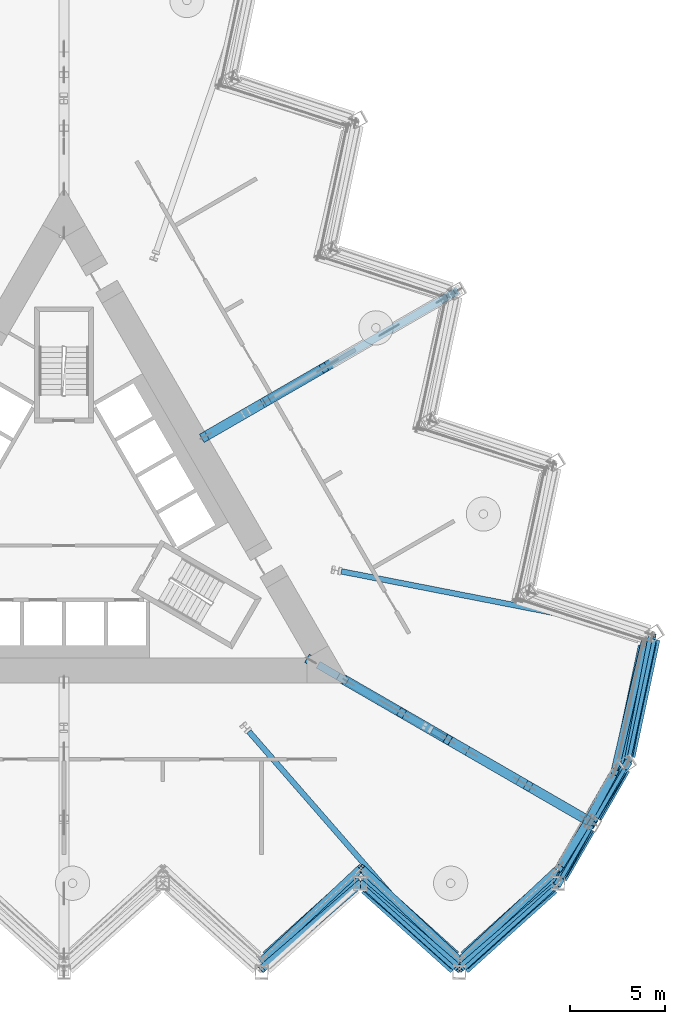
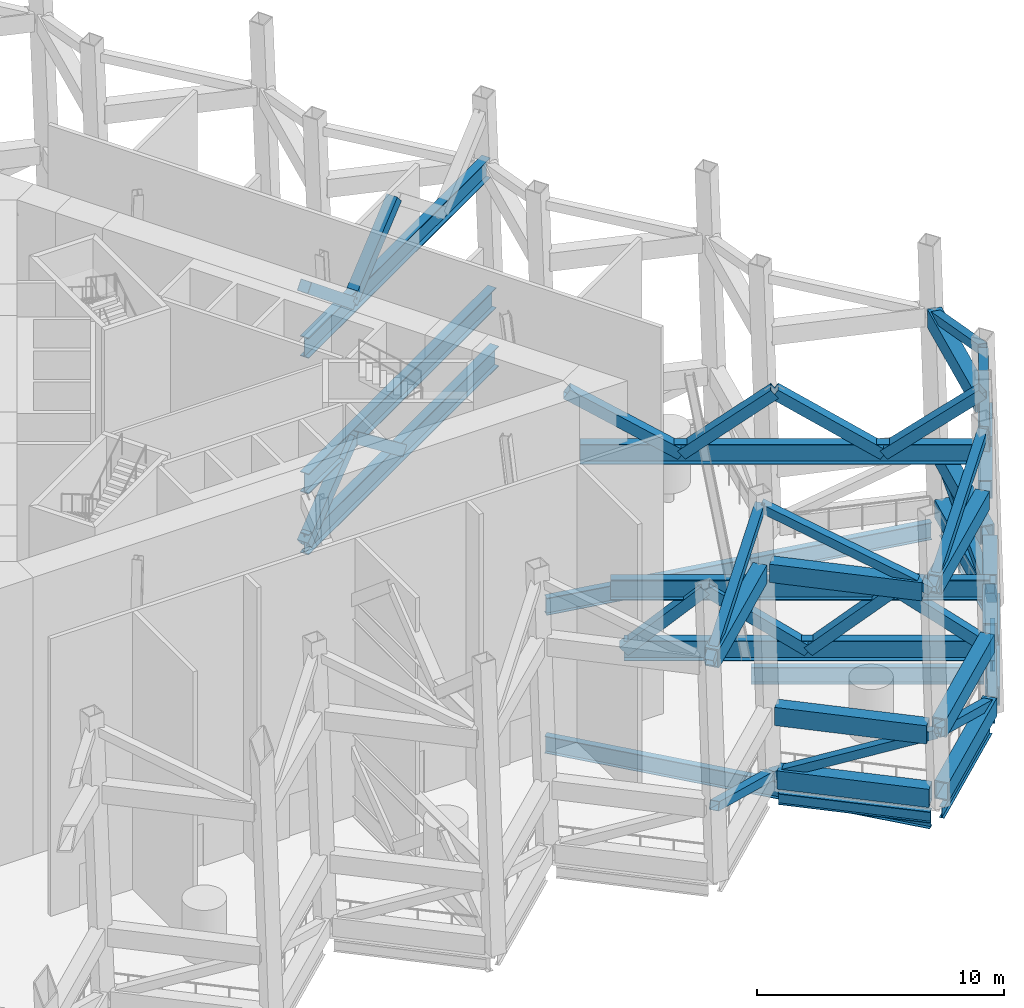
# One storey, part 4 of 19: 46 members, 8 beams.
"""IFC4 building model written with IfcOpenShell, lengths in metres."""

from ifc_helpers import new_model, si_unit, direction, frame, origin, origin_2d, place, context, subcontext, project, spatial, hollow_rectangle, i_section, extrude, material, material_profile, profile_set, type_object, element, save


model = new_model("IFC4")

# Units and contexts
model_context = context("Model", 3, precision=1e-05, world=origin(), true_north=direction((0.0, 1.0)))
body_context = subcontext(model_context, "Body", "Model", "MODEL_VIEW")
ifc_project = project(units=[si_unit("LENGTHUNIT", "METRE"), si_unit("AREAUNIT", "SQUARE_METRE"), si_unit("VOLUMEUNIT", "CUBIC_METRE"), si_unit("PLANEANGLEUNIT", "RADIAN"), si_unit("MASSUNIT", "GRAM", prefix="KILO")], contexts=[model_context])

# Site, building, storey
site_placement = place(None, origin())
site = spatial("IfcSite", under=ifc_project, at=site_placement, CompositionType="ELEMENT")
building_placement = place(site_placement, origin())
building = spatial("IfcBuilding", under=site, at=building_placement, Name="Cormorant Prow Tower", CompositionType="ELEMENT")
storey_placement = place(building_placement, frame((0.0, 0.0, 287.800048828125)))
storey = spatial("IfcBuildingStorey", under=building, at=storey_placement, Name="L64", CompositionType="ELEMENT", Elevation=287.800048828125)

# Members
ifc_material_1 = material(Name="Structural steel ASTM A572 Gr 50", Category="steel")
ifc_material_profile_1 = material_profile(ifc_material_1, hollow_rectangle(XDim=0.60009765625, YDim=0.89990234375, WallThickness=0.06005859375, at=origin_2d()), Name="Box 900x600x60")
ifc_profile_set_1 = profile_set([ifc_material_profile_1], Name="Structural steel ASTM A572 Gr 50")
member_type_1 = type_object("IfcMemberType", Name="Belt truss bottom chord 900x600x60", PredefinedType="CHORD", material=ifc_profile_set_1)
member_1_placement = place(storey_placement, frame((10.65234375, -23.00927734375, 10.25), z_axis=(0.743153289004, 0.669121206541, 0.0), x_axis=(-0.669121206541, 0.743153289004, 0.0)))
element("IfcMember", 1, at=member_1_placement, inside=storey, type_object=member_type_1, Name="Belt truss intermediate chord S07-S08 L64 level 2", PredefinedType="CHORD", context=body_context, shape_type="SweptSolid", body=[
    extrude(hollow_rectangle(XDim=0.60009765625, YDim=0.89990234375, WallThickness=0.06005859375, at=origin_2d()), origin(), (0.0, 0.0, 1.0), 6.292236328125),
])
member_2_placement = place(storey_placement, frame((15.82470703125, -19.44970703125, 0.449951171875), z_axis=(0.743156918576, -0.669117175368, 0.0), x_axis=(0.669117175368, 0.743156918576, 0.0)))
element("IfcMember", 2, at=member_2_placement, inside=storey, type_object=member_type_1, Name="Belt truss bottom chord S08-S09 L64", PredefinedType="CHORD", context=body_context, shape_type="SweptSolid", body=[
    extrude(hollow_rectangle(XDim=0.60009765625, YDim=0.89990234375, WallThickness=0.06005859375, at=origin_2d()), origin(), (0.0, 0.0, 1.0), 6.281494140625),
])
member_3_placement = place(storey_placement, frame((15.832763671875, -19.230712890625, 3.449951171875), z_axis=(0.743156990302, -0.669117095706, 0.0), x_axis=(0.669117095706, 0.743156990302, 0.0)))
element("IfcMember", 3, at=member_3_placement, inside=storey, type_object=member_type_1, Name="Belt truss intermediate chord S08-S09 L64 level 1", PredefinedType="CHORD", context=body_context, shape_type="SweptSolid", body=[
    extrude(hollow_rectangle(XDim=0.60009765625, YDim=0.89990234375, WallThickness=0.06005859375, at=origin_2d()), origin(), (0.0, 0.0, 1.0), 6.284912109375),
])
member_4_placement = place(storey_placement, frame((15.8486328125, -18.799072265625, 10.25), z_axis=(0.743153289004, -0.669121206541, 0.0), x_axis=(0.669121206541, 0.743153289004, 0.0)))
element("IfcMember", 4, at=member_4_placement, inside=storey, type_object=member_type_1, Name="Belt truss intermediate chord S08-S09 L64 level 2", PredefinedType="CHORD", context=body_context, shape_type="SweptSolid", body=[
    extrude(hollow_rectangle(XDim=0.60009765625, YDim=0.89990234375, WallThickness=0.06005859375, at=origin_2d()), origin(), (0.0, 0.0, 1.0), 6.292236328125),
])
member_5_placement = place(storey_placement, frame((21.012939453125, -23.65283203125, 0.449951171875), z_axis=(0.743156918576, 0.669117175368, 0.0), x_axis=(-0.669117175368, 0.743156918576, 0.0)))
element("IfcMember", 5, at=member_5_placement, inside=storey, type_object=member_type_1, Name="Belt truss bottom chord S09-ESE00 L64", PredefinedType="CHORD", context=body_context, shape_type="SweptSolid", body=[
    extrude(hollow_rectangle(XDim=0.60009765625, YDim=0.89990234375, WallThickness=0.06005859375, at=origin_2d()), origin(), (0.0, 0.0, 1.0), 6.281494140625),
])
member_6_placement = place(storey_placement, frame((21.023681640625, -23.43603515625, 3.449951171875), z_axis=(0.743156990302, 0.669117095706, 0.0), x_axis=(-0.669117095706, 0.743156990302, 0.0)))
element("IfcMember", 6, at=member_6_placement, inside=storey, type_object=member_type_1, Name="Belt truss intermediate chord S09-ESE00 L64 level 1", PredefinedType="CHORD", context=body_context, shape_type="SweptSolid", body=[
    extrude(hollow_rectangle(XDim=0.60009765625, YDim=0.89990234375, WallThickness=0.06005859375, at=origin_2d()), origin(), (0.0, 0.0, 1.0), 6.284912109375),
])
member_7_placement = place(storey_placement, frame((21.044677734375, -23.00927734375, 10.25), z_axis=(0.743153289004, 0.669121206541, 0.0), x_axis=(-0.669121206541, 0.743153289004, 0.0)))
element("IfcMember", 7, at=member_7_placement, inside=storey, type_object=member_type_1, Name="Belt truss intermediate chord S09-ESE00 L64 level 2", PredefinedType="CHORD", context=body_context, shape_type="SweptSolid", body=[
    extrude(hollow_rectangle(XDim=0.60009765625, YDim=0.89990234375, WallThickness=0.06005859375, at=origin_2d()), origin(), (0.0, 0.0, 1.0), 6.292236328125),
])
member_8_placement = place(storey_placement, frame((26.1162109375, -18.912353515625, 0.449951171875), z_axis=(0.499966725515, 0.866044613965, 0.0), x_axis=(-0.866044613965, 0.499966725515, 0.0)))
element("IfcMember", 8, at=member_8_placement, inside=storey, type_object=member_type_1, Name="Belt truss bottom chord ESE00-ESE01 L64", PredefinedType="CHORD", context=body_context, shape_type="SweptSolid", body=[
    extrude(hollow_rectangle(XDim=0.60009765625, YDim=0.89990234375, WallThickness=0.06005859375, at=origin_2d()), origin(), (0.0, 0.0, 1.0), 2.970458984375),
])
member_9_placement = place(storey_placement, frame((26.129638671875, -18.693359375, 3.449951171875), z_axis=(0.499953532967, 0.866052229876, 0.0), x_axis=(-0.866052229876, 0.499953532967, 0.0)))
element("IfcMember", 9, at=member_9_placement, inside=storey, type_object=member_type_1, Name="Belt truss intermediate chord ESE00-ESE01 L64 level 1", PredefinedType="CHORD", context=body_context, shape_type="SweptSolid", body=[
    extrude(hollow_rectangle(XDim=0.60009765625, YDim=0.89990234375, WallThickness=0.06005859375, at=origin_2d()), origin(), (0.0, 0.0, 1.0), 2.774169921875),
])
member_10_placement = place(storey_placement, frame((26.15576171875, -18.26171875, 10.25), z_axis=(0.499999840497, 0.866025495874, 0.0), x_axis=(-0.866025495874, 0.499999840497, 0.0)))
element("IfcMember", 10, at=member_10_placement, inside=storey, type_object=member_type_1, Name="Belt truss intermediate chord ESE00-ESE01 L64 level 2", PredefinedType="CHORD", context=body_context, shape_type="SweptSolid", body=[
    extrude(hollow_rectangle(XDim=0.60009765625, YDim=0.89990234375, WallThickness=0.06005859375, at=origin_2d()), origin(), (0.0, 0.0, 1.0), 2.38720703125),
])
member_11_placement = place(storey_placement, frame((27.951416015625, -15.733642578125, 0.449951171875), z_axis=(0.499966725515, 0.866044613965, 0.0), x_axis=(-0.866044613965, 0.499966725515, 0.0)))
element("IfcMember", 11, at=member_11_placement, inside=storey, type_object=member_type_1, Name="Belt truss bottom chord ESE01-ENE00 L64", PredefinedType="CHORD", context=body_context, shape_type="SweptSolid", body=[
    extrude(hollow_rectangle(XDim=0.60009765625, YDim=0.89990234375, WallThickness=0.06005859375, at=origin_2d()), origin(), (0.0, 0.0, 1.0), 2.970458984375),
])
member_12_placement = place(storey_placement, frame((27.86669921875, -15.6845703125, 3.449951171875), z_axis=(0.49999164009, 0.866030230327, 0.0), x_axis=(-0.866030230327, 0.49999164009, 0.0)))
element("IfcMember", 12, at=member_12_placement, inside=storey, type_object=member_type_1, Name="Belt truss intermediate chord ESE01-ENE00 L64 level 1", PredefinedType="CHORD", context=body_context, shape_type="SweptSolid", body=[
    extrude(hollow_rectangle(XDim=0.60009765625, YDim=0.89990234375, WallThickness=0.06005859375, at=origin_2d()), origin(), (0.0, 0.0, 1.0), 2.77392578125),
])
member_13_placement = place(storey_placement, frame((27.699462890625, -15.588134765625, 10.25), z_axis=(0.499999840497, 0.866025495874, 0.0), x_axis=(-0.866025495874, 0.499999840497, 0.0)))
element("IfcMember", 13, at=member_13_placement, inside=storey, type_object=member_type_1, Name="Belt truss intermediate chord ESE01-ENE00 L64 level 2", PredefinedType="CHORD", context=body_context, shape_type="SweptSolid", body=[
    extrude(hollow_rectangle(XDim=0.60009765625, YDim=0.89990234375, WallThickness=0.06005859375, at=origin_2d()), origin(), (0.0, 0.0, 1.0), 2.38720703125),
])
member_14_placement = place(storey_placement, frame((29.684326171875, -12.515625, 0.449951171875), z_axis=(0.207941499013, 0.978141264331, 0.0), x_axis=(-0.978141264331, 0.207941499013, 0.0)))
element("IfcMember", 14, at=member_14_placement, inside=storey, type_object=member_type_1, Name="Belt truss bottom chord ENE00-ENE01 L64", PredefinedType="CHORD", context=body_context, shape_type="SweptSolid", body=[
    extrude(hollow_rectangle(XDim=0.60009765625, YDim=0.89990234375, WallThickness=0.06005859375, at=origin_2d()), origin(), (0.0, 0.0, 1.0), 6.28125),
])
member_15_placement = place(storey_placement, frame((29.50146484375, -12.63671875, 3.449951171875), z_axis=(0.207897315893, 0.978150656108, 0.0), x_axis=(-0.978150656108, 0.207897315893, 0.0)))
element("IfcMember", 15, at=member_15_placement, inside=storey, type_object=member_type_1, Name="Belt truss intermediate chord ENE00-ENE01 L64 level 1", PredefinedType="CHORD", context=body_context, shape_type="SweptSolid", body=[
    extrude(hollow_rectangle(XDim=0.60009765625, YDim=0.89990234375, WallThickness=0.06005859375, at=origin_2d()), origin(), (0.0, 0.0, 1.0), 6.284912109375),
])
member_16_placement = place(storey_placement, frame((29.140869140625, -12.875244140625, 10.25), z_axis=(0.207899129292, 0.978150270684, 0.0), x_axis=(-0.978150270684, 0.207899129292, 0.0)))
element("IfcMember", 16, at=member_16_placement, inside=storey, type_object=member_type_1, Name="Belt truss intermediate chord ENE00-ENE01 L64 level 2", PredefinedType="CHORD", context=body_context, shape_type="SweptSolid", body=[
    extrude(hollow_rectangle(XDim=0.60009765625, YDim=0.89990234375, WallThickness=0.06005859375, at=origin_2d()), origin(), (0.0, 0.0, 1.0), 6.2919921875),
])
ifc_material_2 = material(Name="Structural steel ASTM A500 Gr C", Category="steel")
ifc_material_profile_2 = material_profile(ifc_material_2, hollow_rectangle(XDim=0.406494140625, YDim=0.406494140625, WallThickness=0.014892578125, at=origin_2d()), Name="HSS16x16x5/8")
ifc_profile_set_2 = profile_set([ifc_material_profile_2], Name="Structural steel ASTM A500 Gr C")
member_type_2 = type_object("IfcMemberType", Name="Belt truss diagonal HSS16x16x5/8", PredefinedType="BRACE", material=ifc_profile_set_2)
member_17_placement = place(storey_placement, frame((15.565673828125, -19.186767578125, 0.449951171875), z_axis=(-0.692872753917, -0.59928451588, 0.40098056799), x_axis=(0.654178919895, -0.756339831534, 0.0)))
element("IfcMember", 17, at=member_17_placement, inside=storey, type_object=member_type_2, Name="Belt truss diagonal S07-S08 L64 lower girder band", PredefinedType="BRACE", context=body_context, shape_type="SweptSolid", body=[
    extrude(hollow_rectangle(XDim=0.406494140625, YDim=0.406494140625, WallThickness=0.014892578125, at=origin_2d()), origin(), (0.0, 0.0, 1.0), 7.481689453125),
])
member_18_placement = place(storey_placement, frame((20.78466796875, -23.243408203125, 10.25), z_axis=(-0.671976421664, 0.63049756656, 0.388484886822), x_axis=(-0.684241228634, -0.729255744603, 0.0)))
element("IfcMember", 18, at=member_18_placement, inside=storey, type_object=member_type_2, Name="Belt truss diagonal S08-S09 L64 upper girder band", PredefinedType="BRACE", context=body_context, shape_type="SweptSolid", body=[
    extrude(hollow_rectangle(XDim=0.406494140625, YDim=0.406494140625, WallThickness=0.014892578125, at=origin_2d()), origin(), (0.0, 0.0, 1.0), 7.722412109375),
])
member_19_placement = place(storey_placement, frame((25.94287109375, -19.186767578125, 0.449951171875), z_axis=(-0.69255018816, -0.599542010255, 0.401152857175), x_axis=(0.654513894474, -0.756049973176, 0.0)))
element("IfcMember", 19, at=member_19_placement, inside=storey, type_object=member_type_2, Name="Belt truss diagonal S09-ESE00 L64 lower girder band", PredefinedType="BRACE", context=body_context, shape_type="SweptSolid", body=[
    extrude(hollow_rectangle(XDim=0.406494140625, YDim=0.406494140625, WallThickness=0.014892578125, at=origin_2d()), origin(), (0.0, 0.0, 1.0), 7.478515625),
])
member_20_placement = place(storey_placement, frame((27.5244140625, -15.891357421875, 10.25), z_axis=(-0.366077631874, -0.593366628493, 0.716870428761), x_axis=(0.851063062162, -0.525063485898, 0.0)))
element("IfcMember", 20, at=member_20_placement, inside=storey, type_object=member_type_2, Name="Belt truss diagonal ESE00-ESE01 L64 upper girder band", PredefinedType="BRACE", context=body_context, shape_type="SweptSolid", body=[
    extrude(hollow_rectangle(XDim=0.406494140625, YDim=0.406494140625, WallThickness=0.014892578125, at=origin_2d()), origin(), (0.0, 0.0, 1.0), 4.184814453125),
])
member_21_placement = place(storey_placement, frame((29.587646484375, -12.873779296875, 0.449951171875), z_axis=(-0.401572595141, -0.659549118081, 0.635400984946), x_axis=(0.854136480053, -0.520048914472, 0.0)))
element("IfcMember", 21, at=member_21_placement, inside=storey, type_object=member_type_2, Name="Belt truss diagonal ESE01-ENE00 L64 lower girder band", PredefinedType="BRACE", context=body_context, shape_type="SweptSolid", body=[
    extrude(hollow_rectangle(XDim=0.406494140625, YDim=0.406494140625, WallThickness=0.014892578125, at=origin_2d()), origin(), (0.0, 0.0, 1.0), 4.721435546875),
])
member_22_placement = place(storey_placement, frame((30.521728515625, -6.37841796875, 10.25), z_axis=(-0.208509243782, -0.897827041988, 0.387853706871), x_axis=(0.974076856997, -0.226217321755, 0.0)))
element("IfcMember", 22, at=member_22_placement, inside=storey, type_object=member_type_2, Name="Belt truss diagonal ENE00-ENE01 L64 upper girder band", PredefinedType="BRACE", context=body_context, shape_type="SweptSolid", body=[
    extrude(hollow_rectangle(XDim=0.406494140625, YDim=0.406494140625, WallThickness=0.014892578125, at=origin_2d()), origin(), (0.0, 0.0, 1.0), 7.73486328125),
])
ifc_material_3 = material(Name="Structural steel ASTM A500 Gr C", Category="steel")
ifc_material_profile_3 = material_profile(ifc_material_3, hollow_rectangle(XDim=0.406494140625, YDim=0.406494140625, WallThickness=0.014892578125, at=origin_2d()), Name="HSS16x16x5/8")
ifc_profile_set_3 = profile_set([ifc_material_profile_3], Name="Structural steel ASTM A500 Gr C")
member_type_3 = type_object("IfcMemberType", Name="Belt truss strut HSS16x16x5/8", PredefinedType="STRUT", material=ifc_profile_set_3)
member_23_placement = place(storey_placement, frame((10.392333984375, -23.243408203125, 10.25), z_axis=(0.672962960775, 0.629734437253, 0.388014680086), x_axis=(-0.683266159206, 0.730169402046, 0.0)))
element("IfcMember", 23, at=member_23_placement, inside=storey, type_object=member_type_3, Name="Belt truss strut S07-S08 L64 upper girder band", PredefinedType="STRUT", context=body_context, shape_type="SweptSolid", body=[
    extrude(hollow_rectangle(XDim=0.406494140625, YDim=0.406494140625, WallThickness=0.014892578125, at=origin_2d()), origin(), (0.0, 0.0, 1.0), 7.731689453125),
])
member_24_placement = place(storey_placement, frame((15.565673828125, -19.186767578125, 0.449951171875), z_axis=(0.69385486079, -0.598499108468, 0.40045505281), x_axis=(0.653157693578, 0.757221914183, 0.0)))
element("IfcMember", 24, at=member_24_placement, inside=storey, type_object=member_type_3, Name="Belt truss strut S08-S09 L64 lower girder band", PredefinedType="STRUT", context=body_context, shape_type="SweptSolid", body=[
    extrude(hollow_rectangle(XDim=0.406494140625, YDim=0.406494140625, WallThickness=0.014892578125, at=origin_2d()), origin(), (0.0, 0.0, 1.0), 7.491455078125),
])
member_25_placement = place(storey_placement, frame((20.78466796875, -23.243408203125, 10.25), z_axis=(0.673291011365, 0.629480223133, 0.38785804452), x_axis=(-0.682941482993, 0.730473086984, 0.0)))
element("IfcMember", 25, at=member_25_placement, inside=storey, type_object=member_type_3, Name="Belt truss strut S09-ESE00 L64 upper girder band", PredefinedType="STRUT", context=body_context, shape_type="SweptSolid", body=[
    extrude(hollow_rectangle(XDim=0.406494140625, YDim=0.406494140625, WallThickness=0.014892578125, at=origin_2d()), origin(), (0.0, 0.0, 1.0), 7.73486328125),
])
member_26_placement = place(storey_placement, frame((25.94287109375, -19.186767578125, 0.449951171875), z_axis=(0.370393813383, 0.677547136222, 0.635404045631), x_axis=(-0.877447331336, 0.47967299354, 0.0)))
element("IfcMember", 26, at=member_26_placement, inside=storey, type_object=member_type_3, Name="Belt truss strut ESE00-ESE01 L64 lower girder band", PredefinedType="STRUT", context=body_context, shape_type="SweptSolid", body=[
    extrude(hollow_rectangle(XDim=0.406494140625, YDim=0.406494140625, WallThickness=0.014892578125, at=origin_2d()), origin(), (0.0, 0.0, 1.0), 4.721435546875),
])
member_27_placement = place(storey_placement, frame((27.5244140625, -15.891357421875, 10.25), z_axis=(0.330837585436, 0.613720930839, 0.716863383855), x_axis=(-0.880248000425, 0.474513917339, 0.0)))
element("IfcMember", 27, at=member_27_placement, inside=storey, type_object=member_type_3, Name="Belt truss strut ESE01-ENE00 L64 upper girder band", PredefinedType="STRUT", context=body_context, shape_type="SweptSolid", body=[
    extrude(hollow_rectangle(XDim=0.406494140625, YDim=0.406494140625, WallThickness=0.014892578125, at=origin_2d()), origin(), (0.0, 0.0, 1.0), 4.184814453125),
])
member_28_placement = place(storey_placement, frame((29.587646484375, -12.873779296875, 0.449951171875), z_axis=(0.172927734984, 0.899537626914, 0.401158392956), x_axis=(-0.982018646854, 0.188783943253, 0.0)))
element("IfcMember", 28, at=member_28_placement, inside=storey, type_object=member_type_3, Name="Belt truss strut ENE00-ENE01 L64 lower girder band", PredefinedType="STRUT", context=body_context, shape_type="SweptSolid", body=[
    extrude(hollow_rectangle(XDim=0.406494140625, YDim=0.406494140625, WallThickness=0.014892578125, at=origin_2d()), origin(), (0.0, 0.0, 1.0), 7.478271484375),
])
ifc_material_4 = material(Name="Structural steel ASTM A992 Gr 50", Category="steel")
ifc_material_profile_4 = material_profile(ifc_material_4, i_section(OverallWidth=0.39990234375, OverallDepth=1.000244140625, WebThickness=0.01904296875, FlangeThickness=0.0361328125, at=origin_2d()), Name="W40x249")
ifc_profile_set_4 = profile_set([ifc_material_profile_4], Name="Structural steel ASTM A992 Gr 50")
member_type_4 = type_object("IfcMemberType", Name="Outrigger chord W40x249", PredefinedType="CHORD", material=ifc_profile_set_4)
member_29_placement = place(storey_placement, frame((14.8701171875, -8.585205078125, 0.5), z_axis=(0.866025720378, -0.499999451643, 0.0), x_axis=(0.499999451643, 0.866025720378, 0.0)))
element("IfcMember", 29, at=member_29_placement, inside=storey, type_object=member_type_4, Name="Outrigger bottom chord 5 L64", PredefinedType="CHORD", context=body_context, shape_type="SweptSolid", body=[
    extrude(i_section(OverallWidth=0.39990234375, OverallDepth=1.000244140625, WebThickness=0.01904296875, FlangeThickness=0.0361328125, at=origin_2d()), origin(), (0.0, 0.0, 1.0), 14.90283203125),
])
member_30_placement = place(storey_placement, frame((14.397705078125, -8.3125, 3.5), z_axis=(0.866025126742, -0.500000479851, 0.0), x_axis=(0.500000479851, 0.866025126742, 0.0)))
element("IfcMember", 30, at=member_30_placement, inside=storey, type_object=member_type_4, Name="Outrigger intermediate chord 5 L64 level 1", PredefinedType="CHORD", context=body_context, shape_type="SweptSolid", body=[
    extrude(i_section(OverallWidth=0.39990234375, OverallDepth=1.000244140625, WebThickness=0.01904296875, FlangeThickness=0.0361328125, at=origin_2d()), origin(), (0.0, 0.0, 1.0), 15.3544921875),
])
member_31_placement = place(storey_placement, frame((13.342529296875, -7.703369140625, 10.19970703125), z_axis=(0.866027318515, -0.499996683574, 0.0), x_axis=(0.499996683574, 0.866027318515, 0.0)))
element("IfcMember", 31, at=member_31_placement, inside=storey, type_object=member_type_4, Name="Outrigger intermediate chord 5 L64 level 2", PredefinedType="CHORD", context=body_context, shape_type="SweptSolid", body=[
    extrude(i_section(OverallWidth=0.39990234375, OverallDepth=1.000244140625, WebThickness=0.01904296875, FlangeThickness=0.0361328125, at=origin_2d()), origin(), (0.0, 0.0, 1.0), 16.36328125),
])
member_32_placement = place(storey_placement, frame((7.3701171875, 4.255126953125, 0.5), z_axis=(0.866029325535, 0.499993207268, 0.0), x_axis=(-0.499993207268, 0.866029325535, 0.0)))
element("IfcMember", 32, at=member_32_placement, inside=storey, type_object=member_type_4, Name="Outrigger bottom chord 6 L64", PredefinedType="CHORD", context=body_context, shape_type="SweptSolid", body=[
    extrude(i_section(OverallWidth=0.39990234375, OverallDepth=1.000244140625, WebThickness=0.01904296875, FlangeThickness=0.0361328125, at=origin_2d()), origin(), (0.0, 0.0, 1.0), 15.376708984375),
])
member_33_placement = place(storey_placement, frame((7.3701171875, 4.255126953125, 3.5), z_axis=(0.866025844829, 0.499999236088, 0.0), x_axis=(-0.499999236088, 0.866025844829, 0.0)))
element("IfcMember", 33, at=member_33_placement, inside=storey, type_object=member_type_4, Name="Outrigger intermediate chord 6 L64 level 1", PredefinedType="CHORD", context=body_context, shape_type="SweptSolid", body=[
    extrude(i_section(OverallWidth=0.39990234375, OverallDepth=1.000244140625, WebThickness=0.01904296875, FlangeThickness=0.0361328125, at=origin_2d()), origin(), (0.0, 0.0, 1.0), 15.1689453125),
])
member_34_placement = place(storey_placement, frame((7.3701171875, 4.255126953125, 10.19970703125), z_axis=(0.866024680886, 0.500001252094, 0.0), x_axis=(-0.500001252094, 0.866024680886, 0.0)))
element("IfcMember", 34, at=member_34_placement, inside=storey, type_object=member_type_4, Name="Outrigger intermediate chord 6 L64 level 2", PredefinedType="CHORD", context=body_context, shape_type="SweptSolid", body=[
    extrude(i_section(OverallWidth=0.39990234375, OverallDepth=1.000244140625, WebThickness=0.01904296875, FlangeThickness=0.0361328125, at=origin_2d()), origin(), (0.0, 0.0, 1.0), 14.70556640625),
])
ifc_material_5 = material(Name="Structural steel ASTM A500 Gr C", Category="steel")
ifc_material_profile_5 = material_profile(ifc_material_5, hollow_rectangle(XDim=0.508056640625, YDim=0.508056640625, WallThickness=0.014892578125, at=origin_2d()), Name="HSS20x20x5/8")
ifc_profile_set_5 = profile_set([ifc_material_profile_5], Name="Structural steel ASTM A500 Gr C")
member_type_5 = type_object("IfcMemberType", Name="Outrigger diagonal HSS20x20x5/8", PredefinedType="BRACE", material=ifc_profile_set_5)
member_35_placement = place(storey_placement, frame((14.8701171875, -8.585205078125, 0.5), z_axis=(0.64018960677, -0.369612080135, 0.673456886224), x_axis=(0.499998415573, 0.866026318552, 0.0)))
element("IfcMember", 35, at=member_35_placement, inside=storey, type_object=member_type_5, Name="Outrigger diagonal 5.1 L64 lower girder band", PredefinedType="BRACE", context=body_context, shape_type="SweptSolid", body=[
    extrude(hollow_rectangle(XDim=0.508056640625, YDim=0.508056640625, WallThickness=0.014892578125, at=origin_2d()), origin(), (0.0, 0.0, 1.0), 4.45458984375),
])
member_36_placement = place(storey_placement, frame((21.3232421875, -12.31103515625, 0.5), z_axis=(0.659046879338, -0.380497545413, 0.64875174664), x_axis=(0.499996700606, 0.866027308682, 0.0)))
element("IfcMember", 36, at=member_36_placement, inside=storey, type_object=member_type_5, Name="Outrigger diagonal 5.3 L64 lower girder band", PredefinedType="BRACE", context=body_context, shape_type="SweptSolid", body=[
    extrude(hollow_rectangle(XDim=0.508056640625, YDim=0.508056640625, WallThickness=0.014892578125, at=origin_2d()), origin(), (0.0, 0.0, 1.0), 4.624267578125),
])
member_37_placement = place(storey_placement, frame((12.8701171875, -7.4306640625, 13.19970703125), z_axis=(0.727086621472, -0.419779123852, -0.543259175766), x_axis=(0.499995950774, 0.866027741594, 0.0)))
element("IfcMember", 37, at=member_37_placement, inside=storey, type_object=member_type_5, Name="Outrigger diagonal 5.1 L64 upper girder band", PredefinedType="BRACE", context=body_context, shape_type="SweptSolid", body=[
    extrude(hollow_rectangle(XDim=0.508056640625, YDim=0.508056640625, WallThickness=0.014892578125, at=origin_2d()), origin(), (0.0, 0.0, 1.0), 5.522216796875),
])
member_38_placement = place(storey_placement, frame((20.151123046875, -11.63427734375, 13.19970703125), z_axis=(0.716068135304, -0.41343838071, -0.562418999464), x_axis=(0.50001473959, 0.866016893711, 0.0)))
element("IfcMember", 38, at=member_38_placement, inside=storey, type_object=member_type_5, Name="Outrigger diagonal 5.3 L64 upper girder band", PredefinedType="BRACE", context=body_context, shape_type="SweptSolid", body=[
    extrude(hollow_rectangle(XDim=0.508056640625, YDim=0.508056640625, WallThickness=0.014892578125, at=origin_2d()), origin(), (0.0, 0.0, 1.0), 5.333984375),
])
member_39_placement = place(storey_placement, frame((7.3701171875, 4.255126953125, 0.5), z_axis=(0.679188210515, 0.392153942244, 0.620418133423), x_axis=(-0.500023377642, 0.866011906276, 0.0)))
element("IfcMember", 39, at=member_39_placement, inside=storey, type_object=member_type_5, Name="Outrigger diagonal 6.1 L64 lower girder band", PredefinedType="BRACE", context=body_context, shape_type="SweptSolid", body=[
    extrude(hollow_rectangle(XDim=0.508056640625, YDim=0.508056640625, WallThickness=0.014892578125, at=origin_2d()), origin(), (0.0, 0.0, 1.0), 4.83544921875),
])
member_40_placement = place(storey_placement, frame((7.3701171875, 4.255126953125, 13.19970703125), z_axis=(0.670979945825, 0.387378882917, -0.632236912376), x_axis=(-0.49998880049, 0.866031869728, 0.0)))
element("IfcMember", 40, at=member_40_placement, inside=storey, type_object=member_type_5, Name="Outrigger diagonal 6.1 L64 upper girder band", PredefinedType="BRACE", context=body_context, shape_type="SweptSolid", body=[
    extrude(hollow_rectangle(XDim=0.508056640625, YDim=0.508056640625, WallThickness=0.014892578125, at=origin_2d()), origin(), (0.0, 0.0, 1.0), 4.7451171875),
])
ifc_material_6 = material(Name="Structural steel ASTM A500 Gr C", Category="steel")
ifc_material_profile_6 = material_profile(ifc_material_6, hollow_rectangle(XDim=0.508056640625, YDim=0.508056640625, WallThickness=0.014892578125, at=origin_2d()), Name="HSS20x20x5/8")
ifc_profile_set_6 = profile_set([ifc_material_profile_6], Name="Structural steel ASTM A500 Gr C")
member_type_6 = type_object("IfcMemberType", Name="Outrigger strut HSS20x20x5/8", PredefinedType="STRUT", material=ifc_profile_set_6)
member_41_placement = place(storey_placement, frame((17.721923828125, -10.231689453125, 3.5), z_axis=(0.702328059709, -0.405513394654, -0.585059128039), x_axis=(0.500022287689, 0.866012535599, 0.0)))
element("IfcMember", 41, at=member_41_placement, inside=storey, type_object=member_type_6, Name="Outrigger strut 5.2 L64 lower girder band", PredefinedType="STRUT", context=body_context, shape_type="SweptSolid", body=[
    extrude(hollow_rectangle(XDim=0.508056640625, YDim=0.508056640625, WallThickness=0.014892578125, at=origin_2d()), origin(), (0.0, 0.0, 1.0), 5.127685546875),
])
member_42_placement = place(storey_placement, frame((24.370849609375, -14.070556640625, 3.5), z_axis=(0.688539133973, -0.397505602257, -0.606550209926), x_axis=(0.499978631166, 0.866037740735, 0.0)))
element("IfcMember", 42, at=member_42_placement, inside=storey, type_object=member_type_6, Name="Outrigger strut 5.4 L64 lower girder band", PredefinedType="STRUT", context=body_context, shape_type="SweptSolid", body=[
    extrude(hollow_rectangle(XDim=0.508056640625, YDim=0.508056640625, WallThickness=0.014892578125, at=origin_2d()), origin(), (0.0, 0.0, 1.0), 4.946044921875),
])
member_43_placement = place(storey_placement, frame((16.88525390625, -9.748779296875, 10.19970703125), z_axis=(0.677732451553, -0.391278143331, 0.622559345495), x_axis=(0.499989582389, 0.866031418311, 0.0)))
element("IfcMember", 43, at=member_43_placement, inside=storey, type_object=member_type_6, Name="Outrigger strut 5.2 L64 upper girder band", PredefinedType="STRUT", context=body_context, shape_type="SweptSolid", body=[
    extrude(hollow_rectangle(XDim=0.508056640625, YDim=0.508056640625, WallThickness=0.014892578125, at=origin_2d()), origin(), (0.0, 0.0, 1.0), 4.81884765625),
])
member_44_placement = place(storey_placement, frame((23.970703125, -13.839599609375, 10.19970703125), z_axis=(0.692648498545, -0.399888610557, 0.600272568596), x_axis=(0.499988572162, 0.866032001549, 0.0)))
element("IfcMember", 44, at=member_44_placement, inside=storey, type_object=member_type_6, Name="Outrigger strut 5.4 L64 upper girder band", PredefinedType="STRUT", context=body_context, shape_type="SweptSolid", body=[
    extrude(hollow_rectangle(XDim=0.508056640625, YDim=0.508056640625, WallThickness=0.014892578125, at=origin_2d()), origin(), (0.0, 0.0, 1.0), 4.997802734375),
])
member_45_placement = place(storey_placement, frame((10.654296875, 6.1513671875, 3.5), z_axis=(0.686169401178, 0.396161045731, -0.610104891583), x_axis=(-0.500000906121, 0.866024880635, 0.0)))
element("IfcMember", 45, at=member_45_placement, inside=storey, type_object=member_type_6, Name="Outrigger strut 6.2 L64 lower girder band", PredefinedType="STRUT", context=body_context, shape_type="SweptSolid", body=[
    extrude(hollow_rectangle(XDim=0.508056640625, YDim=0.508056640625, WallThickness=0.014892578125, at=origin_2d()), origin(), (0.0, 0.0, 1.0), 4.917236328125),
])
member_46_placement = place(storey_placement, frame((10.553955078125, 6.09326171875, 10.19970703125), z_axis=(0.663209446289, 0.382916714156, 0.643061443699), x_axis=(-0.500012302351, 0.866018300902, 0.0)))
element("IfcMember", 46, at=member_46_placement, inside=storey, type_object=member_type_6, Name="Outrigger strut 6.2 L64 upper girder band", PredefinedType="STRUT", context=body_context, shape_type="SweptSolid", body=[
    extrude(hollow_rectangle(XDim=0.508056640625, YDim=0.508056640625, WallThickness=0.014892578125, at=origin_2d()), origin(), (0.0, 0.0, 1.0), 4.665283203125),
])

# Beams
ifc_material_7 = material(Name="Structural steel ASTM A992 Gr 50", Category="steel")
ifc_material_profile_7 = material_profile(ifc_material_7, i_section(OverallWidth=0.29296875, OverallDepth=0.845703125, WebThickness=0.015380859375, FlangeThickness=0.0244140625, at=origin_2d()), Name="W33x141")
ifc_profile_set_7 = profile_set([ifc_material_profile_7], Name="Structural steel ASTM A992 Gr 50")
beam_type_1 = type_object("IfcBeamType", Name="Radial floor beam W33x141", PredefinedType="BEAM", material=ifc_profile_set_7)
beam_1_placement = place(storey_placement, frame((9.70947265625, -11.210693359375, -0.77294921875), z_axis=(0.656874593387, -0.753999846527, 0.0), x_axis=(0.753999846527, 0.656874593387, 0.0)))
element("IfcBeam", 47, at=beam_1_placement, inside=storey, type_object=beam_type_1, Name="Radial floor beam FB2 8 L64", PredefinedType="BEAM", context=body_context, shape_type="SweptSolid", body=[
    extrude(i_section(OverallWidth=0.29296875, OverallDepth=0.845703125, WebThickness=0.015380859375, FlangeThickness=0.0244140625, at=origin_2d()), origin(), (0.0, 0.0, 1.0), 16.4619140625),
])
beam_2_placement = place(storey_placement, frame((19.32958984375, -11.159912109375, -0.77294921875), z_axis=(0.866021726843, -0.500006368596, 0.0), x_axis=(0.500006368596, 0.866021726843, 0.0)))
element("IfcBeam", 48, at=beam_2_placement, inside=storey, type_object=beam_type_1, Name="Radial floor beam FB2 9 L64", PredefinedType="BEAM", context=body_context, shape_type="SweptSolid", body=[
    extrude(i_section(OverallWidth=0.29296875, OverallDepth=0.845703125, WebThickness=0.015380859375, FlangeThickness=0.0244140625, at=origin_2d()), origin(), (0.0, 0.0, 1.0), 9.40380859375),
])
beam_3_placement = place(storey_placement, frame((14.5634765625, -2.80322265625, -0.77294921875), z_axis=(0.981419133752, -0.191876220269, 0.0), x_axis=(0.191876220269, 0.981419133752, 0.0)))
element("IfcBeam", 49, at=beam_3_placement, inside=storey, type_object=beam_type_1, Name="Radial floor beam FB2 10 L64", PredefinedType="BEAM", context=body_context, shape_type="SweptSolid", body=[
    extrude(i_section(OverallWidth=0.29296875, OverallDepth=0.845703125, WebThickness=0.015380859375, FlangeThickness=0.0244140625, at=origin_2d()), origin(), (0.0, 0.0, 1.0), 16.462158203125),
])
ifc_material_8 = material(Name="Structural steel ASTM A992 Gr 50", Category="steel")
ifc_material_profile_8 = material_profile(ifc_material_8, i_section(OverallWidth=0.2138671875, OverallDepth=0.549072265625, WebThickness=0.0146484375, FlangeThickness=0.023681640625, at=origin_2d()), Name="W21x93")
ifc_profile_set_8 = profile_set([ifc_material_profile_8], Name="Structural steel ASTM A992 Gr 50")
beam_type_2 = type_object("IfcBeamType", Name="Spandrel beam W21x93", PredefinedType="SPANDREL", material=ifc_profile_set_8)
for number, where, z_axis, x_axis, name in (
    (50, (15.82470703125, -19.44970703125, -0.62451171875), (0.743156918576, -0.669117175368, 0.0), (0.669117175368, 0.743156918576, 0.0), "Spandrel beam SB2 S08-S09 L64"),
    (51, (21.012939453125, -23.65283203125, -0.62451171875), (0.743156918576, 0.669117175368, 0.0), (-0.669117175368, 0.743156918576, 0.0), "Spandrel beam SB2 S09-ESE00 L64"),
):
    element("IfcBeam", number, at=place(storey_placement, frame(where, z_axis=z_axis, x_axis=x_axis)), inside=storey, type_object=beam_type_2, Name=name, PredefinedType="SPANDREL", context=body_context, shape_type="SweptSolid", body=[
        extrude(i_section(OverallWidth=0.2138671875, OverallDepth=0.549072265625, WebThickness=0.0146484375, FlangeThickness=0.023681640625, at=origin_2d()), origin(), (0.0, 0.0, 1.0), 6.281494140625),
    ])
for number, where, z_axis, x_axis, name in (
    (52, (26.1162109375, -18.912353515625, -0.62451171875), (0.499966725515, 0.866044613965, 0.0), (-0.866044613965, 0.499966725515, 0.0), "Spandrel beam SB2 ESE00-ESE01 L64"),
    (53, (27.951416015625, -15.733642578125, -0.62451171875), (0.499966725515, 0.866044613965, 0.0), (-0.866044613965, 0.499966725515, 0.0), "Spandrel beam SB2 ESE01-ENE00 L64"),
):
    element("IfcBeam", number, at=place(storey_placement, frame(where, z_axis=z_axis, x_axis=x_axis)), inside=storey, type_object=beam_type_2, Name=name, PredefinedType="SPANDREL", context=body_context, shape_type="SweptSolid", body=[
        extrude(i_section(OverallWidth=0.2138671875, OverallDepth=0.549072265625, WebThickness=0.0146484375, FlangeThickness=0.023681640625, at=origin_2d()), origin(), (0.0, 0.0, 1.0), 2.970458984375),
    ])
beam_4_placement = place(storey_placement, frame((29.684326171875, -12.515625, -0.62451171875), z_axis=(0.207941499013, 0.978141264331, 0.0), x_axis=(-0.978141264331, 0.207941499013, 0.0)))
element("IfcBeam", 54, at=beam_4_placement, inside=storey, type_object=beam_type_2, Name="Spandrel beam SB2 ENE00-ENE01 L64", PredefinedType="SPANDREL", context=body_context, shape_type="SweptSolid", body=[
    extrude(i_section(OverallWidth=0.2138671875, OverallDepth=0.549072265625, WebThickness=0.0146484375, FlangeThickness=0.023681640625, at=origin_2d()), origin(), (0.0, 0.0, 1.0), 6.28125),
])

save(model, "model.ifc")
